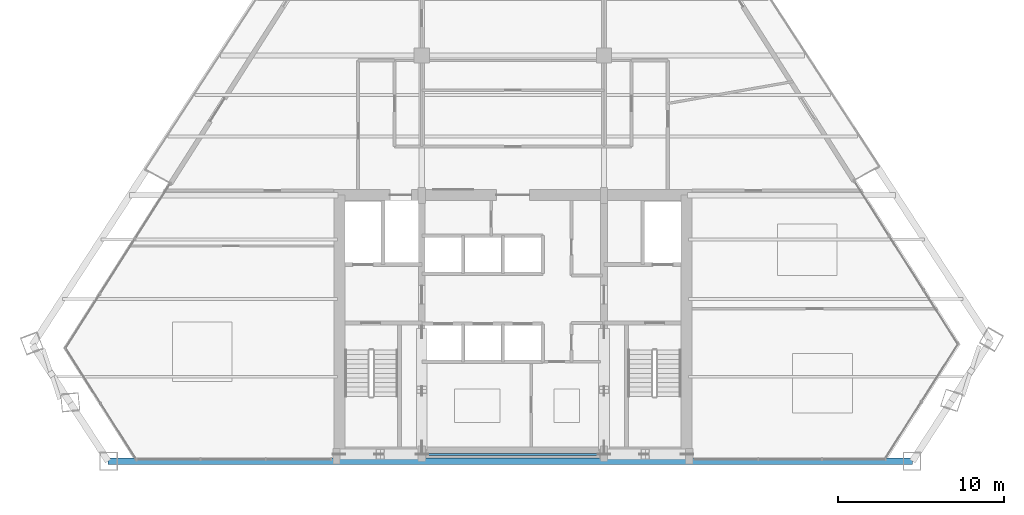
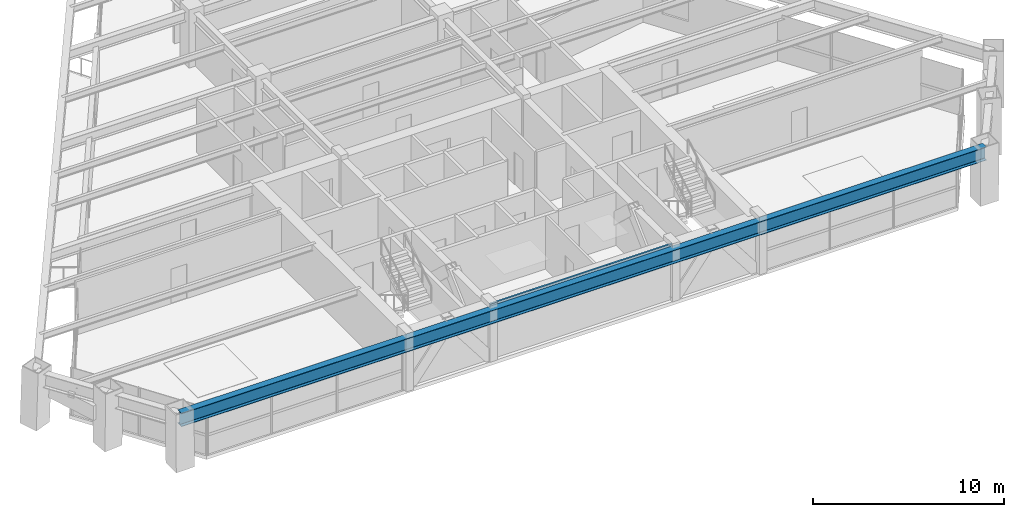
# One storey, part 3 of 15: 2 beams.
"""IFC4 building model written with IfcOpenShell, lengths in metres."""

from ifc_helpers import new_model, si_unit, direction, frame, origin, origin_2d, place, context, subcontext, project, spatial, i_section, extrude, source, transform, mapped, material, material_profile, profile_set, type_object, type_shapes, element, save


model = new_model("IFC4")

# Units and contexts
model_context = context("Model", 3, precision=1e-05, world=origin(), true_north=direction((0.0, 1.0)))
body_context = subcontext(model_context, "Body", "Model", "MODEL_VIEW")
ifc_project = project(units=[si_unit("LENGTHUNIT", "METRE"), si_unit("AREAUNIT", "SQUARE_METRE"), si_unit("VOLUMEUNIT", "CUBIC_METRE"), si_unit("PLANEANGLEUNIT", "RADIAN"), si_unit("MASSUNIT", "GRAM", prefix="KILO")], contexts=[model_context])

# Site, building, storey
site_placement = place(None, origin())
site = spatial("IfcSite", under=ifc_project, at=site_placement, CompositionType="ELEMENT")
building_placement = place(site_placement, origin())
building = spatial("IfcBuilding", under=site, at=building_placement, Name="Varnakhor Terracotta Tower", CompositionType="ELEMENT")
storey_placement = place(building_placement, frame((0.0, 0.0, 162.60009765625)))
storey = spatial("IfcBuildingStorey", under=building, at=storey_placement, Name="L41", CompositionType="ELEMENT", Elevation=162.60009765625)

# Beams
ifc_material = material(Name="Steel S355", Category="steel")
ifc_material_profile_1 = material_profile(ifc_material, i_section(OverallWidth=0.1201171875, OverallDepth=0.239990234375, WebThickness=0.006103515625, FlangeThickness=0.009765625, FilletRadius=0.01806640625, at=origin_2d()), Name="IPE240")
ifc_profile_set_1 = profile_set([ifc_material_profile_1], Name="Steel S355")
beam_type_1 = type_object("IfcBeamType", Name="LNT-IPE240", PredefinedType="LINTEL", material=ifc_profile_set_1)
shared_shape_1 = source(origin(), body_context, "Body", "SweptSolid", [
    extrude(i_section(OverallWidth=0.1201171875, OverallDepth=0.239990234375, WebThickness=0.006103515625, FlangeThickness=0.009765625, FilletRadius=0.01806640625, at=origin_2d()), origin(), (0.0, 0.0, 1.0), 11.0),
])
type_shapes(beam_type_1, [shared_shape_1])
beam_1_placement = place(storey_placement, frame((-5.5, 0.419921875, 3.27978515625), z_axis=(1.0, 0.0, 0.0), x_axis=(0.0, 1.0, 0.0)))
element("IfcBeam", 1, at=beam_1_placement, inside=storey, type_object=beam_type_1, Name="L41 Core South Coupling Lintel", PredefinedType="LINTEL", context=body_context, shape_type="MappedRepresentation", body=[
    mapped(shared_shape_1, transform((0.0, 0.0, 0.0), scale=1.0)),
])
ifc_material_profile_2 = material_profile(ifc_material, i_section(OverallWidth=0.39990234375, OverallDepth=0.85498046875, WebThickness=0.01806640625, FlangeThickness=0.029052734375, FilletRadius=0.01806640625, at=origin_2d()), Name="W33X201")
ifc_profile_set_2 = profile_set([ifc_material_profile_2], Name="Steel S355")
beam_type_2 = type_object("IfcBeamType", Name="BM-W33X201", PredefinedType="BEAM", material=ifc_profile_set_2)
shared_shape_2 = source(origin(), body_context, "Body", "SweptSolid", [
    extrude(i_section(OverallWidth=0.39990234375, OverallDepth=0.85498046875, WebThickness=0.01806640625, FlangeThickness=0.029052734375, FilletRadius=0.01806640625, at=origin_2d()), origin(), (0.0, 0.0, 1.0), 48.55419921875),
])
beam_2_placement = place(storey_placement, frame((-24.4375, 0.0, 2.972412109375), z_axis=(1.0, 0.0, 0.0), x_axis=(0.0, 1.0, 0.0)))
element("IfcBeam", 2, at=beam_2_placement, inside=storey, type_object=beam_type_2, Name="L41 Perimeter Spandrel 1", PredefinedType="BEAM", context=body_context, shape_type="MappedRepresentation", body=[
    mapped(shared_shape_2, transform((0.0, 0.0, 0.0), scale=1.0)),
])

save(model, "model.ifc")
